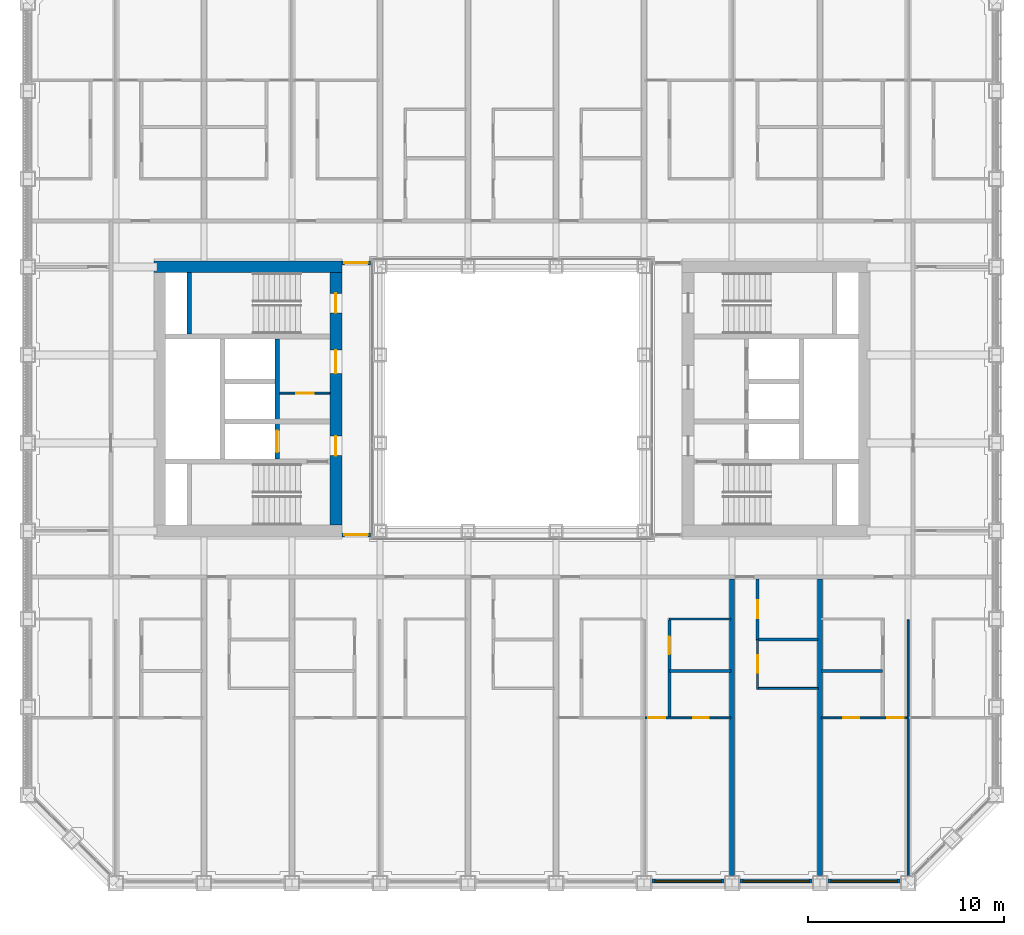
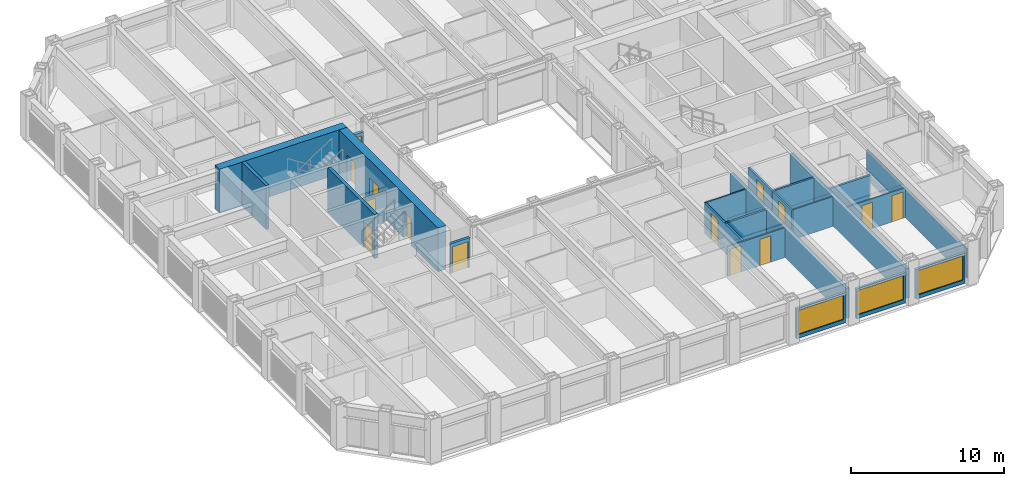
# One storey, part 11 of 21: 23 walls, 14 doors, 3 windows, 17 openings.
"""IFC4 building model written with IfcOpenShell, lengths in metres."""

import ifcopenshell
import ifcopenshell.guid

model = None  # the IFC model being written
_history = None  # IfcOwnerHistory: only IFC2X3 demands one
_inside = {}  # id of a spatial element -> (the spatial element, [elements in it])
_under = {}  # id of a project, library or spatial element -> (it, [spatial elements below it])
_declared = {}  # id of a project -> (the project, [libraries it declares])
_typed = {}  # id of a type object -> (the type object, [elements of that type])
_made_of = {}  # id of a material, layer set ... -> (it, [elements and type objects made of it])


def new_model(schema):
    """Start an empty IFC model of exactly this schema.

    Asked for "IFC4X3", IfcOpenShell would pick the latest addendum, in which some entities
    have other attributes; the version numbers below select the first issue.
    IFC2X3 requires an IfcOwnerHistory on every rooted entity: one is made here for all.
    """
    global model, _history
    if schema == "IFC4X3":
        model = ifcopenshell.file(schema_version=(4, 3, 0, 0))
    else:
        model = ifcopenshell.file(schema=schema)
    _inside.clear()
    _under.clear()
    _declared.clear()
    _typed.clear()
    _made_of.clear()
    _history = None
    if model.schema == "IFC2X3":
        org = make("IfcOrganization", Name="unknown")
        user = make(
            "IfcPersonAndOrganization",
            ThePerson=make("IfcPerson", FamilyName="unknown"),
            TheOrganization=org,
        )
        app = make(
            "IfcApplication",
            ApplicationDeveloper=org,
            Version="unknown",
            ApplicationFullName="unknown",
            ApplicationIdentifier="unknown",
        )
        _history = make(
            "IfcOwnerHistory",
            OwningUser=user,
            OwningApplication=app,
            ChangeAction="ADDED",
            CreationDate=0,
        )
    return model


def make(cls, **values):
    """One entity of the class cls with the attributes given. An attribute that is None is left unset."""
    return model.create_entity(
        cls, **{name: value for name, value in values.items() if value is not None}
    )


def rooted(cls, **values):
    """An entity with a GlobalId (a new one), such as an element, a storey or a relation."""
    return make(cls, GlobalId=ifcopenshell.guid.new(), OwnerHistory=_history, **values)


def si_unit(unit_type, name, prefix=None):
    """IfcSIUnit, for example si_unit("LENGTHUNIT", "METRE", prefix="MILLI")."""
    return make("IfcSIUnit", UnitType=unit_type, Prefix=prefix, Name=name)


def assignment(units):
    """IfcUnitAssignment: the units of a project."""
    return None if units is None else make("IfcUnitAssignment", Units=units)


def point(xyz):
    """IfcCartesianPoint."""
    return None if xyz is None else make("IfcCartesianPoint", Coordinates=xyz)


def direction(xyz):
    """IfcDirection."""
    return None if xyz is None else make("IfcDirection", DirectionRatios=xyz)


def frame(location, z_axis=None, x_axis=None):
    """IfcAxis2Placement3D, a coordinate frame: its origin and axes. An axis left out is left unset."""
    return make(
        "IfcAxis2Placement3D",
        Location=point(location),
        Axis=direction(z_axis),
        RefDirection=direction(x_axis),
    )


def frame_2d(location, x_axis=None):
    """IfcAxis2Placement2D, a coordinate frame in the plane: its origin and x axis."""
    return make(
        "IfcAxis2Placement2D", Location=point(location), RefDirection=direction(x_axis)
    )


def origin():
    """The frame at (0, 0, 0) with its axes left unset."""
    return frame((0.0, 0.0, 0.0))


def place(relative_to, where):
    """IfcLocalPlacement: puts the frame where relative to a parent placement (None: the world)."""
    return make(
        "IfcLocalPlacement", PlacementRelTo=relative_to, RelativePlacement=where
    )


def context(
    kind, dimensions, precision=None, world=None, true_north=None, identifier=None
):
    """IfcGeometricRepresentationContext, for example the 3D "Model" context."""
    return make(
        "IfcGeometricRepresentationContext",
        ContextIdentifier=identifier,
        ContextType=kind,
        CoordinateSpaceDimension=dimensions,
        Precision=precision,
        WorldCoordinateSystem=world,
        TrueNorth=true_north,
    )


def subcontext(parent, identifier, kind, view, scale=None):
    """IfcGeometricRepresentationSubContext, for example "Body" below "Model"."""
    return make(
        "IfcGeometricRepresentationSubContext",
        ContextIdentifier=identifier,
        ContextType=kind,
        ParentContext=parent,
        TargetScale=scale,
        TargetView=view,
    )


def project(units=None, contexts=None):
    """IfcProject with its units and contexts."""
    return rooted(
        "IfcProject",
        Name="project",
        RepresentationContexts=contexts,
        UnitsInContext=assignment(units),
    )


def spatial(cls, under=None, at=None, **own):
    """A site, building, storey or space (cls), placed at a placement, below another one or the project."""
    s = rooted(cls, ObjectPlacement=at, **own)
    if under is not None:
        _under.setdefault(under.id(), (under, []))[1].append(s)
    return s


def profile(cls, at=None, kind="AREA", **sizes):
    """A parametric profile (cls). Its sizes go by their IFC names, for example OverallWidth=200.0."""
    return make(cls, ProfileType=kind, Position=at, **sizes)


def rectangle(**sizes):
    """IfcRectangleProfileDef."""
    return profile("IfcRectangleProfileDef", **sizes)


def extrude(swept, where, along, depth):
    """IfcExtrudedAreaSolid: the profile swept, set in the frame where, extruded along a direction by depth."""
    return make(
        "IfcExtrudedAreaSolid",
        SweptArea=swept,
        Position=where,
        ExtrudedDirection=direction(along),
        Depth=depth,
    )


def shape(context_of_items, identifier, shape_type, items):
    """IfcShapeRepresentation: the items that make up one representation, for example the "Body"."""
    return make(
        "IfcShapeRepresentation",
        ContextOfItems=context_of_items,
        RepresentationIdentifier=identifier,
        RepresentationType=shape_type,
        Items=items,
    )


def material(Name=None, Category=None):
    """IfcMaterial."""
    return make("IfcMaterial", Name=Name, Category=Category)


def layer(
    of_material, thickness, ventilated=None, Name=None, Category=None, Priority=None
):
    """IfcMaterialLayer: one layer of a wall or slab, of a material (None: an air gap)."""
    return make(
        "IfcMaterialLayer",
        Material=of_material,
        LayerThickness=thickness,
        IsVentilated=ventilated,
        Name=Name,
        Category=Category,
        Priority=Priority,
    )


def layer_set(layers, Name=None):
    """IfcMaterialLayerSet."""
    return make("IfcMaterialLayerSet", MaterialLayers=layers, LayerSetName=Name)


def made_of(thing, what):
    """Note that an element or type object is made of a material, layer set ...; save() writes the relation."""
    if what is not None:
        _made_of.setdefault(what.id(), (what, []))[1].append(thing)
    return thing


def type_object(cls, material=None, **own):
    """A type object (cls), such as IfcWallType, which elements share."""
    return made_of(rooted(cls, **own), material)


def element(
    cls,
    number,
    at=None,
    inside=None,
    cuts=None,
    type_object=None,
    material=None,
    context=None,
    identifier="Body",
    shape_type=None,
    held_by="IfcProductDefinitionShape",
    body=None,
    shapes=None,
    **own,
):
    """One element of the class cls, such as IfcWall. Its Tag is "e" and its number.

    at: its placement. inside: the storey or other place that contains it. cuts: it is an
    opening in that element (IfcRelVoidsElement). A single representation is given by context,
    identifier, shape_type and body (its items); several are given by shapes. held_by: the class
    of the entity that holds the representations. save() writes the other relations.
    """
    e = rooted(cls, Tag="e%d" % number, ObjectPlacement=at, **own)
    if body is not None:
        shapes = [shape(context, identifier, shape_type, body)]
    if shapes is not None:
        e.Representation = make(held_by, Representations=shapes)
    if inside is not None:
        _inside.setdefault(inside.id(), (inside, []))[1].append(e)
    if cuts is not None:
        rooted(
            "IfcRelVoidsElement", RelatingBuildingElement=cuts, RelatedOpeningElement=e
        )
    if type_object is not None:
        _typed.setdefault(type_object.id(), (type_object, []))[1].append(e)
    return made_of(e, material)


def fill(opening, filler):
    """IfcRelFillsElement: the door or window that sits in an opening."""
    return rooted(
        "IfcRelFillsElement",
        RelatingOpeningElement=opening,
        RelatedBuildingElement=filler,
    )


def aggregate(whole, parts):
    """IfcRelAggregates: a whole, such as a stair, and the parts it consists of."""
    return rooted("IfcRelAggregates", RelatingObject=whole, RelatedObjects=parts)


def save(model, path):
    """Write the relations noted so far, then the file.

    IfcRelAggregates (storeys below a building ...), IfcRelContainedInSpatialStructure (elements
    in a storey), IfcRelDefinesByType, IfcRelAssociatesMaterial and IfcRelDeclares: one each for
    every whole, place, type object, material and project.
    """
    for whole, parts in _under.values():
        aggregate(whole, parts)
    for where, things in _inside.values():
        rooted(
            "IfcRelContainedInSpatialStructure",
            RelatedElements=things,
            RelatingStructure=where,
        )
    for kind, things in _typed.values():
        rooted("IfcRelDefinesByType", RelatedObjects=things, RelatingType=kind)
    for what, things in _made_of.values():
        rooted("IfcRelAssociatesMaterial", RelatedObjects=things, RelatingMaterial=what)
    for by, libraries in _declared.values():
        rooted("IfcRelDeclares", RelatingContext=by, RelatedDefinitions=libraries)
    model.write(path)


model = new_model("IFC4")

# Units and contexts
model_context = context("Model", 3, precision=1e-05, world=origin(), true_north=direction((0.0, 1.0)))
body_context = subcontext(model_context, "Body", "Model", "MODEL_VIEW")
ifc_project = project(units=[si_unit("LENGTHUNIT", "METRE"), si_unit("AREAUNIT", "SQUARE_METRE"), si_unit("VOLUMEUNIT", "CUBIC_METRE"), si_unit("PLANEANGLEUNIT", "RADIAN"), si_unit("MASSUNIT", "GRAM", prefix="KILO")], contexts=[model_context])

# Site, building, storey
site_placement = place(None, origin())
site = spatial("IfcSite", under=ifc_project, at=site_placement, CompositionType="ELEMENT")
building_placement = place(site_placement, origin())
building = spatial("IfcBuilding", under=site, at=building_placement, Name="Msasa Ring Tower", CompositionType="ELEMENT")
storey_placement = place(building_placement, frame((0.0, 0.0, 40.5)))
storey = spatial("IfcBuildingStorey", under=building, at=storey_placement, Name="L09", CompositionType="ELEMENT", Elevation=40.5)

# Wall
ifc_material_1 = material(Name="Concrete C60/75", Category="concrete")
ifc_layer_1 = layer(ifc_material_1, 0.60009765625)
ifc_layer_set_1 = layer_set([ifc_layer_1], Name="CW1 CORE WALL 600")
wall_type_1 = type_object("IfcWallType", Name="CW1 CORE WALL 600", PredefinedType="SHEAR", material=ifc_layer_set_1)
wall_1_placement = place(storey_placement, frame((-8.699951171875, 6.75, 0.0), z_axis=(0.0, 0.0, 1.0), x_axis=(-1.0, 0.0, 0.0)))
element("IfcWall", 1, at=wall_1_placement, inside=storey, type_object=wall_type_1, Name="W core wall N L09", PredefinedType="SHEAR", context=body_context, shape_type="SweptSolid", body=[
    extrude(rectangle(XDim=9.60009765625, YDim=0.60009765625, at=frame_2d((4.800048828125, 0.0))), origin(), (0.0, 0.0, 1.0), 3.5),
])

# Wall, openings, doors
wall_2_placement = place(storey_placement, frame((-9.0, -6.449951171875, 0.0), z_axis=(0.0, 0.0, 1.0), x_axis=(0.0, 1.0, 0.0)))
wall_2 = element("IfcWall", 2, at=wall_2_placement, inside=storey, type_object=wall_type_1, Name="W core wall W L09", PredefinedType="SHEAR", context=body_context, shape_type="SweptSolid", body=[
    extrude(rectangle(XDim=12.89990234375, YDim=0.60009765625, at=frame_2d((6.449951171875, 0.0))), origin(), (0.0, 0.0, 1.0), 3.5),
])
opening_1_placement = place(wall_2_placement, frame((3.550048828125, 0.0, 0.0)))
opening_1 = element("IfcOpeningElement", 3, at=opening_1_placement, cuts=wall_2, Name="Opening RB-045", PredefinedType="OPENING", context=body_context, shape_type="SweptSolid", body=[
    extrude(rectangle(XDim=1.0, YDim=2.10009765625, at=frame_2d((0.5, 1.050048828125))), frame((0.0, 0.31005859375, 0.0), z_axis=(0.0, -1.0, 0.0), x_axis=(1.0, 0.0, 0.0)), (0.0, 0.0, 1.0), 0.6201171875),
])
opening_2_placement = place(wall_2_placement, frame((7.75, 0.0, 0.0)))
opening_2 = element("IfcOpeningElement", 4, at=opening_2_placement, cuts=wall_2, Name="Opening RB-040", PredefinedType="OPENING", context=body_context, shape_type="SweptSolid", body=[
    extrude(rectangle(XDim=1.199951171875, YDim=2.10009765625, at=frame_2d((0.60009765625, 1.050048828125))), frame((0.0, 0.31005859375, 0.0), z_axis=(0.0, -1.0, 0.0), x_axis=(1.0, 0.0, 0.0)), (0.0, 0.0, 1.0), 0.6201171875),
])
opening_3_placement = place(wall_2_placement, frame((10.85009765625, 0.0, 0.0)))
opening_3 = element("IfcOpeningElement", 5, at=opening_3_placement, cuts=wall_2, Name="Opening RB-038", PredefinedType="OPENING", context=body_context, shape_type="SweptSolid", body=[
    extrude(rectangle(XDim=1.0, YDim=2.10009765625, at=frame_2d((0.5, 1.050048828125))), frame((0.0, 0.31005859375, 0.0), z_axis=(0.0, -1.0, 0.0), x_axis=(1.0, 0.0, 0.0)), (0.0, 0.0, 1.0), 0.6201171875),
])
ifc_material_2 = material(Name="Timber door leaf in a steel frame", Category="steel")
door_type_1 = type_object("IfcDoorType", Name="D26 WIDE SERVICE ROOM DOOR 1200x2100", OperationType="SINGLE_SWING_LEFT", PredefinedType="DOOR", material=ifc_material_2)
door_1_placement = place(opening_2_placement, origin())
door_1 = element("IfcDoor", 6, at=door_1_placement, inside=storey, type_object=door_type_1, Name="Door L09-WCR", OperationType="SINGLE_SWING_RIGHT", OverallHeight=2.10009765625, OverallWidth=1.199951171875, PredefinedType="DOOR", context=body_context, shape_type="SweptSolid", body=[
    extrude(rectangle(XDim=1.199951171875, YDim=2.10009765625, at=frame_2d((0.60009765625, 1.050048828125))), frame((0.0, 0.02490234375, 0.0), z_axis=(0.0, -1.0, 0.0), x_axis=(1.0, 0.0, 0.0)), (0.0, 0.0, 1.0), 0.050048828125),
])
fill(opening_2, door_1)
ifc_material_3 = material(Name="Timber door leaf in a steel frame", Category="steel")
door_type_2 = type_object("IfcDoorType", Name="D4 LOBBY DOOR 1000x2100", OperationType="SINGLE_SWING_LEFT", PredefinedType="DOOR", material=ifc_material_3)
door_2_placement = place(opening_1_placement, origin())
door_2 = element("IfcDoor", 7, at=door_2_placement, inside=storey, type_object=door_type_2, Name="Door L09-WFFL", OperationType="SINGLE_SWING_LEFT", OverallHeight=2.10009765625, OverallWidth=1.0, PredefinedType="DOOR", context=body_context, shape_type="SweptSolid", body=[
    extrude(rectangle(XDim=1.0, YDim=2.10009765625, at=frame_2d((0.5, 1.050048828125))), frame((0.0, 0.02490234375, 0.0), z_axis=(0.0, -1.0, 0.0), x_axis=(1.0, 0.0, 0.0)), (0.0, 0.0, 1.0), 0.050048828125),
])
fill(opening_1, door_2)
ifc_material_4 = material(Name="Timber door leaf in a steel frame", Category="steel")
door_type_3 = type_object("IfcDoorType", Name="D6 STAIR DOOR 1000x2100", OperationType="SINGLE_SWING_LEFT", PredefinedType="DOOR", material=ifc_material_4)
door_3_placement = place(opening_3_placement, origin())
door_3 = element("IfcDoor", 8, at=door_3_placement, inside=storey, type_object=door_type_3, Name="Door L09-WSTB", OperationType="SINGLE_SWING_RIGHT", OverallHeight=2.10009765625, OverallWidth=1.0, PredefinedType="DOOR", context=body_context, shape_type="SweptSolid", body=[
    extrude(rectangle(XDim=1.0, YDim=2.10009765625, at=frame_2d((0.5, 1.050048828125))), frame((0.0, 0.02490234375, 0.0), z_axis=(0.0, -1.0, 0.0), x_axis=(1.0, 0.0, 0.0)), (0.0, 0.0, 1.0), 0.050048828125),
])
fill(opening_3, door_3)

# Wall
ifc_material_5 = material(Name="Concrete C60/75", Category="concrete")
ifc_layer_2 = layer(ifc_material_5, 0.25)
ifc_layer_set_2 = layer_set([ifc_layer_2], Name="CW4 CORE INNER WALL 250")
wall_type_2 = type_object("IfcWallType", Name="CW4 CORE INNER WALL 250", PredefinedType="SHEAR", material=ifc_layer_set_2)
wall_3_placement = place(storey_placement, frame((-16.5, 3.324951171875, 0.0), z_axis=(0.0, 0.0, 1.0), x_axis=(0.0, 1.0, 0.0)))
element("IfcWall", 9, at=wall_3_placement, inside=storey, type_object=wall_type_2, Name="W core wall RISERB L09", PredefinedType="SHEAR", context=body_context, shape_type="SweptSolid", body=[
    extrude(rectangle(XDim=3.125, YDim=0.25, at=frame_2d((1.5625, 0.0))), origin(), (0.0, 0.0, 1.0), 3.5),
])

# Wall, opening, door
wall_4_placement = place(storey_placement, frame((-12.0, -3.074951171875, 0.0), z_axis=(0.0, 0.0, 1.0), x_axis=(0.0, 1.0, 0.0)))
wall_4 = element("IfcWall", 10, at=wall_4_placement, inside=storey, type_object=wall_type_2, Name="W core wall LOBBY L09", PredefinedType="SHEAR", context=body_context, shape_type="SweptSolid", body=[
    extrude(rectangle(XDim=6.14990234375, YDim=0.25, at=frame_2d((3.074951171875, 0.0))), origin(), (0.0, 0.0, 1.0), 3.5),
])
opening_4_placement = place(wall_4_placement, frame((0.35009765625, 0.0, 0.0)))
opening_4 = element("IfcOpeningElement", 11, at=opening_4_placement, cuts=wall_4, Name="Opening LD1", PredefinedType="OPENING", context=body_context, shape_type="SweptSolid", body=[
    extrude(rectangle(XDim=1.10009765625, YDim=2.10009765625, at=frame_2d((0.550048828125, 1.050048828125))), frame((0.0, 0.135009765625, 0.0), z_axis=(0.0, -1.0, 0.0), x_axis=(1.0, 0.0, 0.0)), (0.0, 0.0, 1.0), 0.27001953125),
])
ifc_material_6 = material(Name="Stainless steel lift landing door", Category="steel")
door_type_4 = type_object("IfcDoorType", Name="LD1 LIFT LANDING DOOR 1100x2100", OperationType="DOUBLE_DOOR_SLIDING", PredefinedType="DOOR", material=ifc_material_6)
door_4_placement = place(opening_4_placement, origin())
door_4 = element("IfcDoor", 12, at=door_4_placement, inside=storey, type_object=door_type_4, Name="Lift landing door FL-W L09", OperationType="DOUBLE_DOOR_SLIDING", OverallHeight=2.10009765625, OverallWidth=1.10009765625, PredefinedType="DOOR", context=body_context, shape_type="SweptSolid", body=[
    extrude(rectangle(XDim=1.10009765625, YDim=2.10009765625, at=frame_2d((0.550048828125, 1.050048828125))), frame((0.0, 0.02490234375, 0.0), z_axis=(0.0, -1.0, 0.0), x_axis=(1.0, 0.0, 0.0)), (0.0, 0.0, 1.0), 0.050048828125),
])
fill(opening_4, door_4)

# Wall, opening, window
ifc_material_7 = material(Name="Terracotta rainscreen on blockwork", Category="masonry")
ifc_layer_3 = layer(ifc_material_7, 0.199951171875)
ifc_layer_set_3 = layer_set([ifc_layer_3], Name="FW1 TERRACOTTA-LINED INFILL BAY WALL 200")
wall_type_3 = type_object("IfcWallType", Name="FW1 TERRACOTTA-LINED INFILL BAY WALL 200", PredefinedType="SOLIDWALL", material=ifc_layer_set_3)
wall_5_placement = place(storey_placement, frame((7.155029296875, -24.64990234375, 0.0), z_axis=(0.0, 0.0, 1.0), x_axis=(1.0, 0.0, 0.0)))
wall_5 = element("IfcWall", 13, at=wall_5_placement, inside=storey, type_object=wall_type_3, Name="Infill bay wall S L09 06", PredefinedType="SOLIDWALL", context=body_context, shape_type="SweptSolid", body=[
    extrude(rectangle(XDim=3.68994140625, YDim=0.199951171875, at=frame_2d((1.844970703125, 0.0))), origin(), (0.0, 0.0, 1.0), 2.37890625),
])
opening_5_placement = place(wall_5_placement, frame((0.14501953125, 0.0, 0.300048828125)))
opening_5 = element("IfcOpeningElement", 14, at=opening_5_placement, cuts=wall_5, Name="Opening WN1", PredefinedType="OPENING", context=body_context, shape_type="SweptSolid", body=[
    extrude(rectangle(XDim=3.39990234375, YDim=1.928955078125, at=frame_2d((1.699951171875, 0.96435546875))), frame((0.0, 0.10986328125, 0.0), z_axis=(0.0, -1.0, 0.0), x_axis=(1.0, 0.0, 0.0)), (0.0, 0.0, 1.0), 0.219970703125),
])
ifc_material_8 = material(Name="Aluminium frame with clear glass", Category="aluminium")
window_type = type_object("IfcWindowType", Name="WN1 RESIDENCE WINDOW 3400x1929", PartitioningType="SINGLE_PANEL", PredefinedType="WINDOW", material=ifc_material_8)
window_1_placement = place(opening_5_placement, origin())
window_1 = element("IfcWindow", 15, at=window_1_placement, inside=storey, type_object=window_type, Name="Window S L09 06", OverallHeight=1.928955078125, OverallWidth=3.39990234375, PartitioningType="SINGLE_PANEL", PredefinedType="WINDOW", context=body_context, shape_type="SweptSolid", body=[
    extrude(rectangle(XDim=3.39990234375, YDim=1.928955078125, at=frame_2d((1.699951171875, 0.96435546875))), frame((0.0, 0.030029296875, 0.0), z_axis=(0.0, -1.0, 0.0), x_axis=(1.0, 0.0, 0.0)), (0.0, 0.0, 1.0), 0.06005859375),
])
fill(opening_5, window_1)

wall_6_placement = place(storey_placement, frame((11.655029296875, -24.64990234375, 0.0), z_axis=(0.0, 0.0, 1.0), x_axis=(1.0, 0.0, 0.0)))
wall_6 = element("IfcWall", 16, at=wall_6_placement, inside=storey, type_object=wall_type_3, Name="Infill bay wall S L09 07", PredefinedType="SOLIDWALL", context=body_context, shape_type="SweptSolid", body=[
    extrude(rectangle(XDim=3.68994140625, YDim=0.199951171875, at=frame_2d((1.844970703125, 0.0))), origin(), (0.0, 0.0, 1.0), 2.37890625),
])
opening_6_placement = place(wall_6_placement, frame((0.14501953125, 0.0, 0.300048828125)))
opening_6 = element("IfcOpeningElement", 17, at=opening_6_placement, cuts=wall_6, Name="Opening WN1", PredefinedType="OPENING", context=body_context, shape_type="SweptSolid", body=[
    extrude(rectangle(XDim=3.39990234375, YDim=1.928955078125, at=frame_2d((1.699951171875, 0.96435546875))), frame((0.0, 0.10986328125, 0.0), z_axis=(0.0, -1.0, 0.0), x_axis=(1.0, 0.0, 0.0)), (0.0, 0.0, 1.0), 0.219970703125),
])
window_2_placement = place(opening_6_placement, origin())
window_2 = element("IfcWindow", 18, at=window_2_placement, inside=storey, type_object=window_type, Name="Window S L09 07", OverallHeight=1.928955078125, OverallWidth=3.39990234375, PartitioningType="SINGLE_PANEL", PredefinedType="WINDOW", context=body_context, shape_type="SweptSolid", body=[
    extrude(rectangle(XDim=3.39990234375, YDim=1.928955078125, at=frame_2d((1.699951171875, 0.96435546875))), frame((0.0, 0.030029296875, 0.0), z_axis=(0.0, -1.0, 0.0), x_axis=(1.0, 0.0, 0.0)), (0.0, 0.0, 1.0), 0.06005859375),
])
fill(opening_6, window_2)

wall_7_placement = place(storey_placement, frame((16.155029296875, -24.64990234375, 0.0), z_axis=(0.0, 0.0, 1.0), x_axis=(1.0, 0.0, 0.0)))
wall_7 = element("IfcWall", 19, at=wall_7_placement, inside=storey, type_object=wall_type_3, Name="Infill bay wall S L09 08", PredefinedType="SOLIDWALL", context=body_context, shape_type="SweptSolid", body=[
    extrude(rectangle(XDim=3.68994140625, YDim=0.199951171875, at=frame_2d((1.844970703125, 0.0))), origin(), (0.0, 0.0, 1.0), 2.37890625),
])
opening_7_placement = place(wall_7_placement, frame((0.14501953125, 0.0, 0.300048828125)))
opening_7 = element("IfcOpeningElement", 20, at=opening_7_placement, cuts=wall_7, Name="Opening WN1", PredefinedType="OPENING", context=body_context, shape_type="SweptSolid", body=[
    extrude(rectangle(XDim=3.39990234375, YDim=1.928955078125, at=frame_2d((1.699951171875, 0.96435546875))), frame((0.0, 0.10986328125, 0.0), z_axis=(0.0, -1.0, 0.0), x_axis=(1.0, 0.0, 0.0)), (0.0, 0.0, 1.0), 0.219970703125),
])
window_3_placement = place(opening_7_placement, origin())
window_3 = element("IfcWindow", 21, at=window_3_placement, inside=storey, type_object=window_type, Name="Window S L09 08", OverallHeight=1.928955078125, OverallWidth=3.39990234375, PartitioningType="SINGLE_PANEL", PredefinedType="WINDOW", context=body_context, shape_type="SweptSolid", body=[
    extrude(rectangle(XDim=3.39990234375, YDim=1.928955078125, at=frame_2d((1.699951171875, 0.96435546875))), frame((0.0, 0.030029296875, 0.0), z_axis=(0.0, -1.0, 0.0), x_axis=(1.0, 0.0, 0.0)), (0.0, 0.0, 1.0), 0.06005859375),
])
fill(opening_7, window_3)

# Wall, opening, door
ifc_material_9 = material(Name="Concrete blockwork", Category="masonry")
ifc_layer_4 = layer(ifc_material_9, 0.199951171875)
ifc_layer_set_4 = layer_set([ifc_layer_4], Name="PT1 CORRIDOR WALL 200")
wall_type_4 = type_object("IfcWallType", Name="PT1 CORRIDOR WALL 200", PredefinedType="PARTITIONING", material=ifc_layer_set_4)
wall_8_placement = place(storey_placement, frame((-8.699951171875, 6.949951171875, 0.0), z_axis=(0.0, 0.0, 1.0), x_axis=(1.0, 0.0, 0.0)))
wall_8 = element("IfcWall", 22, at=wall_8_placement, inside=storey, type_object=wall_type_4, Name="Corridor wall L09-SDWN", PredefinedType="PARTITIONING", context=body_context, shape_type="SweptSolid", body=[
    extrude(rectangle(XDim=1.469970703125, YDim=0.199951171875, at=frame_2d((0.73486328125, 0.0))), origin(), (0.0, 0.0, 1.0), 2.373291015625),
])
opening_8_placement = place(wall_8_placement, frame((0.135009765625, 0.0, 0.0)))
opening_8 = element("IfcOpeningElement", 23, at=opening_8_placement, cuts=wall_8, Name="Opening RB-034", PredefinedType="OPENING", context=body_context, shape_type="SweptSolid", body=[
    extrude(rectangle(XDim=1.199951171875, YDim=2.10009765625, at=frame_2d((0.60009765625, 1.050048828125))), frame((0.0, 0.10986328125, 0.0), z_axis=(0.0, -1.0, 0.0), x_axis=(1.0, 0.0, 0.0)), (0.0, 0.0, 1.0), 0.219970703125),
])
ifc_material_10 = material(Name="Timber door leaf in a steel frame", Category="steel")
door_type_5 = type_object("IfcDoorType", Name="D25 CORRIDOR PAIR OF SMOKE DOORS 1200x2100", OperationType="DOUBLE_DOOR_DOUBLE_SWING", PredefinedType="DOOR", material=ifc_material_10)
door_5_placement = place(opening_8_placement, origin())
door_5 = element("IfcDoor", 24, at=door_5_placement, inside=storey, type_object=door_type_5, Name="Door L09-SDWN", OperationType="DOUBLE_DOOR_DOUBLE_SWING", OverallHeight=2.10009765625, OverallWidth=1.199951171875, PredefinedType="DOOR", context=body_context, shape_type="SweptSolid", body=[
    extrude(rectangle(XDim=1.199951171875, YDim=2.10009765625, at=frame_2d((0.60009765625, 1.050048828125))), frame((0.0, 0.02490234375, 0.0), z_axis=(0.0, -1.0, 0.0), x_axis=(1.0, 0.0, 0.0)), (0.0, 0.0, 1.0), 0.050048828125),
])
fill(opening_8, door_5)

wall_9_placement = place(storey_placement, frame((-8.699951171875, -6.949951171875, 0.0), z_axis=(0.0, 0.0, 1.0), x_axis=(1.0, 0.0, 0.0)))
wall_9 = element("IfcWall", 25, at=wall_9_placement, inside=storey, type_object=wall_type_4, Name="Corridor wall L09-SDWS", PredefinedType="PARTITIONING", context=body_context, shape_type="SweptSolid", body=[
    extrude(rectangle(XDim=1.469970703125, YDim=0.199951171875, at=frame_2d((0.73486328125, 0.0))), origin(), (0.0, 0.0, 1.0), 2.373291015625),
])
opening_9_placement = place(wall_9_placement, frame((0.135009765625, 0.0, 0.0)))
opening_9 = element("IfcOpeningElement", 26, at=opening_9_placement, cuts=wall_9, Name="Opening RB-051", PredefinedType="OPENING", context=body_context, shape_type="SweptSolid", body=[
    extrude(rectangle(XDim=1.199951171875, YDim=2.10009765625, at=frame_2d((0.60009765625, 1.050048828125))), frame((0.0, 0.10986328125, 0.0), z_axis=(0.0, -1.0, 0.0), x_axis=(1.0, 0.0, 0.0)), (0.0, 0.0, 1.0), 0.219970703125),
])
door_6_placement = place(opening_9_placement, origin())
door_6 = element("IfcDoor", 27, at=door_6_placement, inside=storey, type_object=door_type_5, Name="Door L09-SDWS", OperationType="DOUBLE_DOOR_DOUBLE_SWING", OverallHeight=2.10009765625, OverallWidth=1.199951171875, PredefinedType="DOOR", context=body_context, shape_type="SweptSolid", body=[
    extrude(rectangle(XDim=1.199951171875, YDim=2.10009765625, at=frame_2d((0.60009765625, 1.050048828125))), frame((0.0, 0.02490234375, 0.0), z_axis=(0.0, -1.0, 0.0), x_axis=(1.0, 0.0, 0.0)), (0.0, 0.0, 1.0), 0.050048828125),
])
fill(opening_9, door_6)

# Wall
ifc_material_11 = material(Name="Gypsum board on steel studs", Category="steel")
ifc_layer_5 = layer(ifc_material_11, 0.10009765625)
ifc_layer_set_5 = layer_set([ifc_layer_5], Name="PT2 STUD PARTITION 100")
wall_type_5 = type_object("IfcWallType", Name="PT2 STUD PARTITION 100", PredefinedType="PARTITIONING", material=ifc_layer_set_5)
wall_10_placement = place(storey_placement, frame((8.050048828125, -11.25, 0.0), z_axis=(0.0, 0.0, 1.0), x_axis=(1.0, 0.0, 0.0)))
element("IfcWall", 28, at=wall_10_placement, inside=storey, type_object=wall_type_5, Name="Partition L09-US04HY1", PredefinedType="PARTITIONING", context=body_context, shape_type="SweptSolid", body=[
    extrude(rectangle(XDim=3.139892578125, YDim=0.10009765625, at=frame_2d((1.56982421875, 0.0))), origin(), (0.0, 0.0, 1.0), 2.373291015625),
])

# Wall, openings, doors
wall_11_placement = place(storey_placement, frame((6.800048828125, -16.300048828125, 0.0), z_axis=(0.0, 0.0, 1.0), x_axis=(1.0, 0.0, 0.0)))
wall_11 = element("IfcWall", 29, at=wall_11_placement, inside=storey, type_object=wall_type_5, Name="Partition L09-US04SY1", PredefinedType="PARTITIONING", context=body_context, shape_type="SweptSolid", body=[
    extrude(rectangle(XDim=4.389892578125, YDim=0.10009765625, at=frame_2d((2.19482421875, 0.0))), origin(), (0.0, 0.0, 1.0), 2.373291015625),
])
opening_10_placement = place(wall_11_placement, frame((0.175048828125, 0.0, 0.0)))
opening_10 = element("IfcOpeningElement", 30, at=opening_10_placement, cuts=wall_11, Name="Opening RB-081", PredefinedType="OPENING", context=body_context, shape_type="SweptSolid", body=[
    extrude(rectangle(XDim=0.85009765625, YDim=2.10009765625, at=frame_2d((0.425048828125, 1.050048828125))), frame((0.0, 0.06005859375, 0.0), z_axis=(0.0, -1.0, 0.0), x_axis=(1.0, 0.0, 0.0)), (0.0, 0.0, 1.0), 0.1201171875),
])
opening_11_placement = place(wall_11_placement, frame((2.4599609375, 0.0, 0.0)))
opening_11 = element("IfcOpeningElement", 31, at=opening_11_placement, cuts=wall_11, Name="Opening RB-082", PredefinedType="OPENING", context=body_context, shape_type="SweptSolid", body=[
    extrude(rectangle(XDim=0.800048828125, YDim=2.10009765625, at=frame_2d((0.39990234375, 1.050048828125))), frame((0.0, 0.06005859375, 0.0), z_axis=(0.0, -1.0, 0.0), x_axis=(1.0, 0.0, 0.0)), (0.0, 0.0, 1.0), 0.1201171875),
])
ifc_material_12 = material(Name="Timber door leaf in a steel frame", Category="steel")
door_type_6 = type_object("IfcDoorType", Name="D14 BEDROOM DOOR 850x2100", OperationType="SINGLE_SWING_LEFT", PredefinedType="DOOR", material=ifc_material_12)
door_7_placement = place(opening_10_placement, origin())
door_7 = element("IfcDoor", 32, at=door_7_placement, inside=storey, type_object=door_type_6, Name="Door L09-US04R1", OperationType="SINGLE_SWING_LEFT", OverallHeight=2.10009765625, OverallWidth=0.85009765625, PredefinedType="DOOR", context=body_context, shape_type="SweptSolid", body=[
    extrude(rectangle(XDim=0.85009765625, YDim=2.10009765625, at=frame_2d((0.425048828125, 1.050048828125))), frame((0.0, 0.02490234375, 0.0), z_axis=(0.0, -1.0, 0.0), x_axis=(1.0, 0.0, 0.0)), (0.0, 0.0, 1.0), 0.050048828125),
])
fill(opening_10, door_7)
ifc_material_13 = material(Name="Timber door leaf in a steel frame", Category="steel")
door_type_7 = type_object("IfcDoorType", Name="D60 DRESSING ROOM DOOR 800x2100", OperationType="SINGLE_SWING_LEFT", PredefinedType="DOOR", material=ifc_material_13)
door_8_placement = place(opening_11_placement, origin())
door_8 = element("IfcDoor", 33, at=door_8_placement, inside=storey, type_object=door_type_7, Name="Door L09-US04W1", OperationType="SINGLE_SWING_RIGHT", OverallHeight=2.10009765625, OverallWidth=0.800048828125, PredefinedType="DOOR", context=body_context, shape_type="SweptSolid", body=[
    extrude(rectangle(XDim=0.800048828125, YDim=2.10009765625, at=frame_2d((0.39990234375, 1.050048828125))), frame((0.0, 0.02490234375, 0.0), z_axis=(0.0, -1.0, 0.0), x_axis=(1.0, 0.0, 0.0)), (0.0, 0.0, 1.0), 0.050048828125),
])
fill(opening_11, door_8)

# Wall
wall_12_placement = place(storey_placement, frame((12.60009765625, -14.800048828125, 0.0), z_axis=(0.0, 0.0, 1.0), x_axis=(1.0, 0.0, 0.0)))
element("IfcWall", 34, at=wall_12_placement, inside=storey, type_object=wall_type_5, Name="Partition L09-US05KY", PredefinedType="PARTITIONING", context=body_context, shape_type="SweptSolid", body=[
    extrude(rectangle(XDim=3.0498046875, YDim=0.10009765625, at=frame_2d((1.52490234375, 0.0))), origin(), (0.0, 0.0, 1.0), 2.373291015625),
])

# Wall, opening, door
wall_13_placement = place(storey_placement, frame((12.550048828125, -14.85009765625, 0.0), z_axis=(0.0, 0.0, 1.0), x_axis=(0.0, 1.0, 0.0)))
wall_13 = element("IfcWall", 35, at=wall_13_placement, inside=storey, type_object=wall_type_5, Name="Partition L09-US05KX", PredefinedType="PARTITIONING", context=body_context, shape_type="SweptSolid", body=[
    extrude(rectangle(XDim=2.550048828125, YDim=0.10009765625, at=frame_2d((1.27490234375, 0.0))), origin(), (0.0, 0.0, 1.0), 2.373291015625),
])
opening_12_placement = place(wall_13_placement, frame((0.840087890625, 0.0, 0.0)))
opening_12 = element("IfcOpeningElement", 36, at=opening_12_placement, cuts=wall_13, Name="Opening RB-069", PredefinedType="OPENING", context=body_context, shape_type="SweptSolid", body=[
    extrude(rectangle(XDim=0.89990234375, YDim=2.10009765625, at=frame_2d((0.449951171875, 1.050048828125))), frame((0.0, 0.06005859375, 0.0), z_axis=(0.0, -1.0, 0.0), x_axis=(1.0, 0.0, 0.0)), (0.0, 0.0, 1.0), 0.1201171875),
])
ifc_material_14 = material(Name="Timber door leaf in a steel frame", Category="steel")
door_type_8 = type_object("IfcDoorType", Name="D22 INTERNAL HALL DOOR 900x2100", OperationType="SINGLE_SWING_LEFT", PredefinedType="DOOR", material=ifc_material_14)
door_9_placement = place(opening_12_placement, origin())
door_9 = element("IfcDoor", 37, at=door_9_placement, inside=storey, type_object=door_type_8, Name="Door L09-US05K", OperationType="SINGLE_SWING_LEFT", OverallHeight=2.10009765625, OverallWidth=0.89990234375, PredefinedType="DOOR", context=body_context, shape_type="SweptSolid", body=[
    extrude(rectangle(XDim=0.89990234375, YDim=2.10009765625, at=frame_2d((0.449951171875, 1.050048828125))), frame((0.0, 0.02490234375, 0.0), z_axis=(0.0, -1.0, 0.0), x_axis=(1.0, 0.0, 0.0)), (0.0, 0.0, 1.0), 0.050048828125),
])
fill(opening_12, door_9)

# Wall
wall_14_placement = place(storey_placement, frame((20.25, -24.35009765625, 0.0), z_axis=(0.0, 0.0, 1.0), x_axis=(0.0, 1.0, 0.0)))
element("IfcWall", 38, at=wall_14_placement, inside=storey, type_object=wall_type_5, Name="Partition L09-US06P1", PredefinedType="PARTITIONING", context=body_context, shape_type="SweptSolid", body=[
    extrude(rectangle(XDim=13.050048828125, YDim=0.10009765625, at=frame_2d((6.52490234375, 0.0))), origin(), (0.0, 0.0, 1.0), 2.373291015625),
])

# Wall, openings, doors
wall_15_placement = place(storey_placement, frame((15.81005859375, -16.300048828125, 0.0), z_axis=(0.0, 0.0, 1.0), x_axis=(1.0, 0.0, 0.0)))
wall_15 = element("IfcWall", 39, at=wall_15_placement, inside=storey, type_object=wall_type_5, Name="Partition L09-US06SY1", PredefinedType="PARTITIONING", context=body_context, shape_type="SweptSolid", body=[
    extrude(rectangle(XDim=4.389892578125, YDim=0.10009765625, at=frame_2d((2.19482421875, 0.0))), origin(), (0.0, 0.0, 1.0), 2.373291015625),
])
opening_13_placement = place(wall_15_placement, frame((3.364990234375, 0.0, 0.0)))
opening_13 = element("IfcOpeningElement", 40, at=opening_13_placement, cuts=wall_15, Name="Opening RB-084", PredefinedType="OPENING", context=body_context, shape_type="SweptSolid", body=[
    extrude(rectangle(XDim=0.85009765625, YDim=2.10009765625, at=frame_2d((0.425048828125, 1.050048828125))), frame((0.0, 0.06005859375, 0.0), z_axis=(0.0, -1.0, 0.0), x_axis=(1.0, 0.0, 0.0)), (0.0, 0.0, 1.0), 0.1201171875),
])
opening_14_placement = place(wall_15_placement, frame((1.1298828125, 0.0, 0.0)))
opening_14 = element("IfcOpeningElement", 41, at=opening_14_placement, cuts=wall_15, Name="Opening RB-083", PredefinedType="OPENING", context=body_context, shape_type="SweptSolid", body=[
    extrude(rectangle(XDim=0.800048828125, YDim=2.10009765625, at=frame_2d((0.39990234375, 1.050048828125))), frame((0.0, 0.06005859375, 0.0), z_axis=(0.0, -1.0, 0.0), x_axis=(1.0, 0.0, 0.0)), (0.0, 0.0, 1.0), 0.1201171875),
])
door_10_placement = place(opening_13_placement, origin())
door_10 = element("IfcDoor", 42, at=door_10_placement, inside=storey, type_object=door_type_6, Name="Door L09-US06R1", OperationType="SINGLE_SWING_RIGHT", OverallHeight=2.10009765625, OverallWidth=0.85009765625, PredefinedType="DOOR", context=body_context, shape_type="SweptSolid", body=[
    extrude(rectangle(XDim=0.85009765625, YDim=2.10009765625, at=frame_2d((0.425048828125, 1.050048828125))), frame((0.0, 0.02490234375, 0.0), z_axis=(0.0, -1.0, 0.0), x_axis=(1.0, 0.0, 0.0)), (0.0, 0.0, 1.0), 0.050048828125),
])
fill(opening_13, door_10)
door_11_placement = place(opening_14_placement, origin())
door_11 = element("IfcDoor", 43, at=door_11_placement, inside=storey, type_object=door_type_7, Name="Door L09-US06W1", OperationType="SINGLE_SWING_LEFT", OverallHeight=2.10009765625, OverallWidth=0.800048828125, PredefinedType="DOOR", context=body_context, shape_type="SweptSolid", body=[
    extrude(rectangle(XDim=0.800048828125, YDim=2.10009765625, at=frame_2d((0.39990234375, 1.050048828125))), frame((0.0, 0.02490234375, 0.0), z_axis=(0.0, -1.0, 0.0), x_axis=(1.0, 0.0, 0.0)), (0.0, 0.0, 1.0), 0.050048828125),
])
fill(opening_14, door_11)

# Wall, opening, door
wall_16_placement = place(storey_placement, frame((-11.875, 0.300048828125, 0.0), z_axis=(0.0, 0.0, 1.0), x_axis=(1.0, 0.0, 0.0)))
wall_16 = element("IfcWall", 44, at=wall_16_placement, inside=storey, type_object=wall_type_5, Name="Partition L09-WCP", PredefinedType="PARTITIONING", context=body_context, shape_type="SweptSolid", body=[
    extrude(rectangle(XDim=2.574951171875, YDim=0.10009765625, at=frame_2d((1.28759765625, 0.0))), origin(), (0.0, 0.0, 1.0), 2.373291015625),
])
opening_15_placement = place(wall_16_placement, frame((0.83740234375, 0.0, 0.0)))
opening_15 = element("IfcOpeningElement", 45, at=opening_15_placement, cuts=wall_16, Name="Opening RB-042", PredefinedType="OPENING", context=body_context, shape_type="SweptSolid", body=[
    extrude(rectangle(XDim=0.89990234375, YDim=2.10009765625, at=frame_2d((0.449951171875, 1.050048828125))), frame((0.0, 0.06005859375, 0.0), z_axis=(0.0, -1.0, 0.0), x_axis=(1.0, 0.0, 0.0)), (0.0, 0.0, 1.0), 0.1201171875),
])
door_12_placement = place(opening_15_placement, origin())
door_12 = element("IfcDoor", 46, at=door_12_placement, inside=storey, type_object=door_type_8, Name="Door L09-WCP", OperationType="SINGLE_SWING_LEFT", OverallHeight=2.10009765625, OverallWidth=0.89990234375, PredefinedType="DOOR", context=body_context, shape_type="SweptSolid", body=[
    extrude(rectangle(XDim=0.89990234375, YDim=2.10009765625, at=frame_2d((0.449951171875, 1.050048828125))), frame((0.0, 0.02490234375, 0.0), z_axis=(0.0, -1.0, 0.0), x_axis=(1.0, 0.0, 0.0)), (0.0, 0.0, 1.0), 0.050048828125),
])
fill(opening_15, door_12)

# Walls
ifc_material_15 = material(Name="Dense concrete blockwork, plastered both faces", Category="masonry")
ifc_layer_6 = layer(ifc_material_15, 0.25)
ifc_layer_set_6 = layer_set([ifc_layer_6], Name="PT3 APARTMENT SEPARATING WALL 250")
wall_type_6 = type_object("IfcWallType", Name="PT3 APARTMENT SEPARATING WALL 250", PredefinedType="PARTITIONING", material=ifc_layer_set_6)
for number, where, z_axis, x_axis, name in (
    (47, (11.25, -24.35009765625, 0.0), (0.0, 0.0, 1.0), (0.0, 1.0, 0.0), "Party wall L09-PWS+11.25"),
    (48, (15.75, -24.35009765625, 0.0), (0.0, 0.0, 1.0), (0.0, 1.0, 0.0), "Party wall L09-PWS+15.75"),
):
    element("IfcWall", number, at=place(storey_placement, frame(where, z_axis=z_axis, x_axis=x_axis)), inside=storey, type_object=wall_type_6, Name=name, PredefinedType="PARTITIONING", context=body_context, shape_type="SweptSolid", body=[
        extrude(rectangle(XDim=15.150146484375, YDim=0.25, at=frame_2d((7.5751953125, 0.0))), origin(), (0.0, 0.0, 1.0), 2.373291015625),
    ])

# Wall, opening, door
ifc_material_16 = material(Name="Moisture-resistant board on steel studs with a concealed cistern and pipe void, tiled", Category="steel")
ifc_layer_7 = layer(ifc_material_16, 0.14990234375)
ifc_layer_set_7 = layer_set([ifc_layer_7], Name="PT4 BATHROOM WET WALL 150")
wall_type_7 = type_object("IfcWallType", Name="PT4 BATHROOM WET WALL 150", PredefinedType="PARTITIONING", material=ifc_layer_set_7)
wall_17_placement = place(storey_placement, frame((8.050048828125, -16.300048828125, 0.0), z_axis=(0.0, 0.0, 1.0), x_axis=(0.0, 1.0, 0.0)))
wall_17 = element("IfcWall", 49, at=wall_17_placement, inside=storey, type_object=wall_type_7, Name="Partition L09-US04SX1", PredefinedType="PARTITIONING", context=body_context, shape_type="SweptSolid", body=[
    extrude(rectangle(XDim=5.0, YDim=0.14990234375, at=frame_2d((2.5, 0.0))), origin(), (0.0, 0.0, 1.0), 2.373291015625),
])
opening_16_placement = place(wall_17_placement, frame((3.25, 0.0, 0.0)))
opening_16 = element("IfcOpeningElement", 50, at=opening_16_placement, cuts=wall_17, Name="Opening RB-065", PredefinedType="OPENING", context=body_context, shape_type="SweptSolid", body=[
    extrude(rectangle(XDim=0.89990234375, YDim=2.10009765625, at=frame_2d((0.449951171875, 1.050048828125))), frame((0.0, 0.0849609375, 0.0), z_axis=(0.0, -1.0, 0.0), x_axis=(1.0, 0.0, 0.0)), (0.0, 0.0, 1.0), 0.169921875),
])
ifc_material_17 = material(Name="Timber door leaf in a steel frame", Category="steel")
door_type_9 = type_object("IfcDoorType", Name="D3 BATHROOM DOOR 900x2100", OperationType="SINGLE_SWING_LEFT", PredefinedType="DOOR", material=ifc_material_17)
door_13_placement = place(opening_16_placement, origin())
door_13 = element("IfcDoor", 51, at=door_13_placement, inside=storey, type_object=door_type_9, Name="Door L09-US04B1", OperationType="SINGLE_SWING_RIGHT", OverallHeight=2.10009765625, OverallWidth=0.89990234375, PredefinedType="DOOR", context=body_context, shape_type="SweptSolid", body=[
    extrude(rectangle(XDim=0.89990234375, YDim=2.10009765625, at=frame_2d((0.449951171875, 1.050048828125))), frame((0.0, 0.02490234375, 0.0), z_axis=(0.0, -1.0, 0.0), x_axis=(1.0, 0.0, 0.0)), (0.0, 0.0, 1.0), 0.050048828125),
])
fill(opening_16, door_13)

# Wall
wall_18_placement = place(storey_placement, frame((8.050048828125, -13.89990234375, 0.0), z_axis=(0.0, 0.0, 1.0), x_axis=(1.0, 0.0, 0.0)))
element("IfcWall", 52, at=wall_18_placement, inside=storey, type_object=wall_type_7, Name="Partition L09-US04SB1", PredefinedType="PARTITIONING", context=body_context, shape_type="SweptSolid", body=[
    extrude(rectangle(XDim=3.139892578125, YDim=0.14990234375, at=frame_2d((1.56982421875, 0.0))), origin(), (0.0, 0.0, 1.0), 2.373291015625),
])

# Wall, opening, door
wall_19_placement = place(storey_placement, frame((12.550048828125, -12.35009765625, 0.0), z_axis=(0.0, 0.0, 1.0), x_axis=(0.0, 1.0, 0.0)))
wall_19 = element("IfcWall", 53, at=wall_19_placement, inside=storey, type_object=wall_type_7, Name="Partition L09-US05BX", PredefinedType="PARTITIONING", context=body_context, shape_type="SweptSolid", body=[
    extrude(rectangle(XDim=3.150146484375, YDim=0.14990234375, at=frame_2d((1.5751953125, 0.0))), origin(), (0.0, 0.0, 1.0), 2.373291015625),
])
opening_17_placement = place(wall_19_placement, frame((1.14990234375, 0.0, 0.0)))
opening_17 = element("IfcOpeningElement", 54, at=opening_17_placement, cuts=wall_19, Name="Opening RB-062", PredefinedType="OPENING", context=body_context, shape_type="SweptSolid", body=[
    extrude(rectangle(XDim=0.89990234375, YDim=2.10009765625, at=frame_2d((0.449951171875, 1.050048828125))), frame((0.0, 0.0849609375, 0.0), z_axis=(0.0, -1.0, 0.0), x_axis=(1.0, 0.0, 0.0)), (0.0, 0.0, 1.0), 0.169921875),
])
door_14_placement = place(opening_17_placement, origin())
door_14 = element("IfcDoor", 55, at=door_14_placement, inside=storey, type_object=door_type_9, Name="Door L09-US05B", OperationType="SINGLE_SWING_LEFT", OverallHeight=2.10009765625, OverallWidth=0.89990234375, PredefinedType="DOOR", context=body_context, shape_type="SweptSolid", body=[
    extrude(rectangle(XDim=0.89990234375, YDim=2.10009765625, at=frame_2d((0.449951171875, 1.050048828125))), frame((0.0, 0.02490234375, 0.0), z_axis=(0.0, -1.0, 0.0), x_axis=(1.0, 0.0, 0.0)), (0.0, 0.0, 1.0), 0.050048828125),
])
fill(opening_17, door_14)

# Walls
wall_20_placement = place(storey_placement, frame((12.60009765625, -12.300048828125, 0.0), z_axis=(0.0, 0.0, 1.0), x_axis=(1.0, 0.0, 0.0)))
element("IfcWall", 56, at=wall_20_placement, inside=storey, type_object=wall_type_7, Name="Partition L09-US05BY", PredefinedType="PARTITIONING", context=body_context, shape_type="SweptSolid", body=[
    extrude(rectangle(XDim=3.0498046875, YDim=0.14990234375, at=frame_2d((1.52490234375, 0.0))), origin(), (0.0, 0.0, 1.0), 2.373291015625),
])
wall_21_placement = place(storey_placement, frame((15.81005859375, -13.89990234375, 0.0), z_axis=(0.0, 0.0, 1.0), x_axis=(1.0, 0.0, 0.0)))
element("IfcWall", 57, at=wall_21_placement, inside=storey, type_object=wall_type_7, Name="Partition L09-US06SB1", PredefinedType="PARTITIONING", context=body_context, shape_type="SweptSolid", body=[
    extrude(rectangle(XDim=3.139892578125, YDim=0.14990234375, at=frame_2d((1.56982421875, 0.0))), origin(), (0.0, 0.0, 1.0), 2.373291015625),
])

save(model, "model.ifc")
